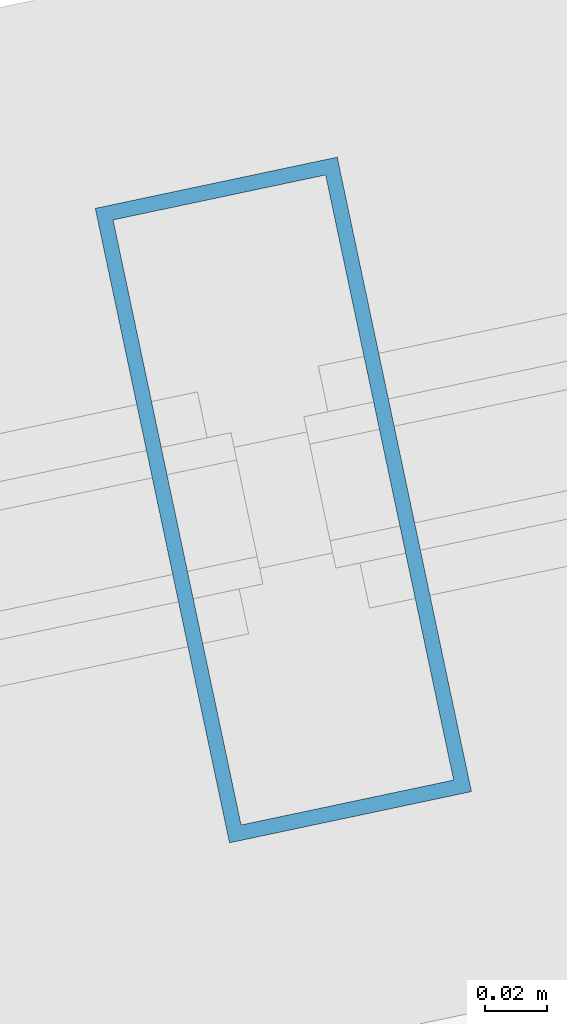
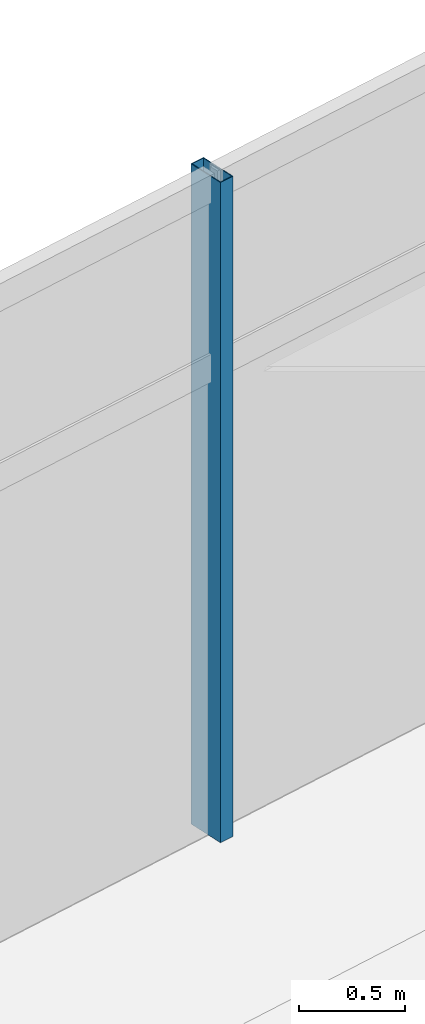
# One storey, part 100 of 171: 1 member, 1 element without a shape of its own.
"""IFC4 building model written with IfcOpenShell, lengths in metres."""

from ifc_helpers import new_model, si_unit, direction, frame, origin, origin_2d, place, context, subcontext, project, spatial, hollow_rectangle, extrude, material, layer, layer_set, material_profile, profile_set, type_object, element, aggregate, save


model = new_model("IFC4")

# Units and contexts
model_context = context("Model", 3, precision=1e-05, world=origin(), true_north=direction((0.0, 1.0)))
body_context = subcontext(model_context, "Body", "Model", "MODEL_VIEW")
ifc_project = project(units=[si_unit("LENGTHUNIT", "METRE"), si_unit("AREAUNIT", "SQUARE_METRE"), si_unit("VOLUMEUNIT", "CUBIC_METRE"), si_unit("PLANEANGLEUNIT", "RADIAN"), si_unit("MASSUNIT", "GRAM", prefix="KILO")], contexts=[model_context])

# Site, building, storey
site_placement = place(None, origin())
site = spatial("IfcSite", under=ifc_project, at=site_placement, CompositionType="ELEMENT")
building_placement = place(site_placement, origin())
building = spatial("IfcBuilding", under=site, at=building_placement, Name="Kazemori Nagisa Stadium", CompositionType="ELEMENT")
storey_placement = place(building_placement, frame((0.0, 0.0, 15.639892578125)))
storey = spatial("IfcBuildingStorey", under=building, at=storey_placement, Name="L03", CompositionType="ELEMENT", Elevation=15.639892578125)

# Curtain wall, member
ifc_material_1 = material(Name="Anodised aluminium 6063-T5", Category="aluminium")
ifc_layer = layer(ifc_material_1, 0.2099609375, Name="Anodised aluminium 6063-T5", Category="aluminium")
ifc_layer_set = layer_set([ifc_layer], Name="Anodised aluminium 6063-T5")
curtain_wall_type = type_object("IfcCurtainWallType", Name="CW_L03R3_105", PredefinedType="USERDEFINED", material=ifc_layer_set)
curtain_wall_placement = place(storey_placement, origin())
curtain_wall = element("IfcCurtainWall", 1, at=curtain_wall_placement, inside=storey, type_object=curtain_wall_type, Name="Unitised curtain wall CW-L03R3-105 L03", ObjectType="UNITISED CURTAIN WALL", PredefinedType="USERDEFINED")
ifc_material_2 = material(Name="Aluminium 6063-T5 anodised", Category="aluminium")
ifc_material_profile = material_profile(ifc_material_2, hollow_rectangle(XDim=0.080078125, YDim=0.2099609375, WallThickness=0.0048828125, at=origin_2d()), Name="ALU-MULL-80x210x5")
ifc_profile_set = profile_set([ifc_material_profile], Name="Aluminium 6063-T5 anodised")
member_type = type_object("IfcMemberType", Name="Mullion_M02", PredefinedType="MULLION", material=ifc_profile_set)
member_placement = place(storey_placement, frame((87.475830078125, 184.004638671875, 0.0), z_axis=(0.0, 0.0, 1.0), x_axis=(-0.978344955407, -0.206981033502, 0.0)))
member = element("IfcMember", 2, at=member_placement, type_object=member_type, Name="Curtain wall mullion CW-L03R3-105-M3", PredefinedType="MULLION", context=body_context, shape_type="SweptSolid", body=[
    extrude(hollow_rectangle(XDim=0.080078125, YDim=0.2099609375, WallThickness=0.0048828125, at=origin_2d()), origin(), (0.0, 0.0, 1.0), 3.81005859375),
])
aggregate(curtain_wall, [member])

save(model, "model.ifc")
